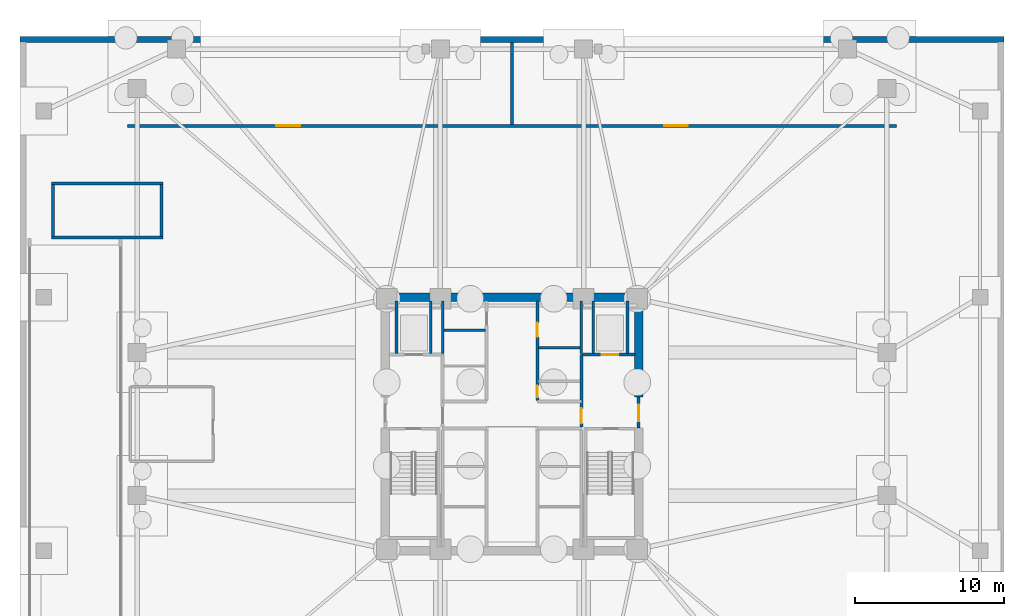
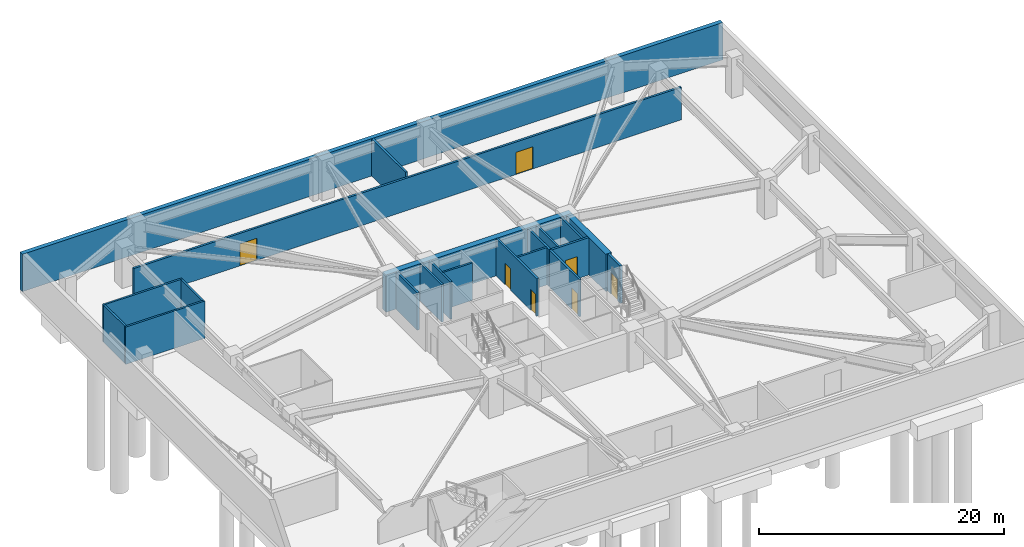
# One storey, part 5 of 10: 21 walls, 7 doors, 7 openings.
"""IFC4 building model written with IfcOpenShell, lengths in metres."""

from ifc_helpers import new_model, si_unit, direction, frame, frame_2d, origin, place, context, subcontext, project, spatial, rectangle, extrude, material, layer, layer_set, type_object, element, fill, save


model = new_model("IFC4")

# Units and contexts
model_context = context("Model", 3, precision=1e-05, world=origin(), true_north=direction((0.0, 1.0)))
body_context = subcontext(model_context, "Body", "Model", "MODEL_VIEW")
ifc_project = project(units=[si_unit("LENGTHUNIT", "METRE"), si_unit("AREAUNIT", "SQUARE_METRE"), si_unit("VOLUMEUNIT", "CUBIC_METRE"), si_unit("PLANEANGLEUNIT", "RADIAN"), si_unit("MASSUNIT", "GRAM", prefix="KILO")], contexts=[model_context])

# Site, building, storey
site_placement = place(None, origin())
site = spatial("IfcSite", under=ifc_project, at=site_placement, CompositionType="ELEMENT")
building_placement = place(site_placement, origin())
building = spatial("IfcBuilding", under=site, at=building_placement, Name="Cairnveth Concourse Tower", CompositionType="ELEMENT")
storey_placement = place(building_placement, frame((0.0, 0.0, -8.0)))
storey = spatial("IfcBuildingStorey", under=building, at=storey_placement, Name="B02", CompositionType="ELEMENT", Elevation=-8.0)

# Walls
ifc_material_1 = material(Name="Concrete N50 (50 MPa)", Category="concrete")
ifc_layer_1 = layer(ifc_material_1, 0.39990234375)
ifc_layer_set_1 = layer_set([ifc_layer_1], Name="Concrete N50 (50 MPa)")
wall_type_1 = type_object("IfcWallType", Name="BASEMENT RETAINING WALL 400", PredefinedType="USERDEFINED", material=ifc_layer_set_1)
wall_1_placement = place(storey_placement, frame((19.0, 64.800048828125, 0.0), z_axis=(0.0, 0.0, 1.0), x_axis=(1.0, 0.0, 0.0)))
element("IfcWall", 1, at=wall_1_placement, inside=storey, type_object=wall_type_1, Name="Exterior Wall EW-B02-N", ObjectType="RETAINING WALL", PredefinedType="USERDEFINED", context=body_context, shape_type="SweptSolid", body=[
    extrude(rectangle(XDim=66.0, YDim=0.39990234375, at=frame_2d((33.0, 0.0))), origin(), (0.0, 0.0, 1.0), 3.719970703125),
])
ifc_material_2 = material(Name="Concrete N80 (80 MPa)", Category="concrete")
ifc_layer_2 = layer(ifc_material_2, 0.550048828125)
ifc_layer_set_2 = layer_set([ifc_layer_2], Name="Concrete N80 (80 MPa)")
wall_type_2 = type_object("IfcWallType", Name="CORE SHEAR WALL 550", PredefinedType="SHEAR", material=ifc_layer_set_2)
wall_2_placement = place(storey_placement, frame((43.22509765625, 47.5, 0.0), z_axis=(0.0, 0.0, 1.0), x_axis=(1.0, 0.0, 0.0)))
element("IfcWall", 2, at=wall_2_placement, inside=storey, type_object=wall_type_2, Name="Core North Shear Wall B02", PredefinedType="SHEAR", context=body_context, shape_type="SweptSolid", body=[
    extrude(rectangle(XDim=17.5498046875, YDim=0.550048828125, at=frame_2d((8.77490234375, 0.0))), origin(), (0.0, 0.0, 1.0), 3.719970703125),
])
wall_3_placement = place(storey_placement, frame((60.5, 40.800048828125, 0.0), z_axis=(0.0, 0.0, 1.0), x_axis=(0.0, 1.0, 0.0)))
element("IfcWall", 3, at=wall_3_placement, inside=storey, type_object=wall_type_2, Name="Core East Shear Wall N B02", PredefinedType="SHEAR", context=body_context, shape_type="SweptSolid", body=[
    extrude(rectangle(XDim=6.43505859375, YDim=0.550048828125, at=frame_2d((3.217529296875, 0.0))), origin(), (0.0, 0.0, 1.0), 3.719970703125),
])
ifc_layer_3 = layer(ifc_material_1, 0.179931640625)
ifc_layer_set_3 = layer_set([ifc_layer_3], Name="Concrete N50 (50 MPa)")
wall_type_3 = type_object("IfcWallType", Name="FIRE SHAFT WALL 180", PredefinedType="SOLIDWALL", material=ifc_layer_set_3)
wall_4_placement = place(storey_placement, frame((47.35009765625, 43.735107421875, 0.0), z_axis=(0.0, 0.0, 1.0), x_axis=(0.0, 1.0, 0.0)))
element("IfcWall", 4, at=wall_4_placement, inside=storey, type_object=wall_type_3, Name="Interior Wall IW-B02-031", PredefinedType="SOLIDWALL", context=body_context, shape_type="SweptSolid", body=[
    extrude(rectangle(XDim=3.5048828125, YDim=0.179931640625, at=frame_2d((1.75244140625, 0.0))), origin(), (0.0, 0.0, 1.0), 3.719970703125),
])
wall_5_placement = place(storey_placement, frame((47.425048828125, 45.280029296875, 0.0), z_axis=(0.0, 0.0, 1.0), x_axis=(1.0, 0.0, 0.0)))
element("IfcWall", 5, at=wall_5_placement, inside=storey, type_object=wall_type_3, Name="Interior Wall IW-B02-033", PredefinedType="SOLIDWALL", context=body_context, shape_type="SweptSolid", body=[
    extrude(rectangle(XDim=2.7900390625, YDim=0.179931640625, at=frame_2d((1.39501953125, 0.0))), origin(), (0.0, 0.0, 1.0), 3.719970703125),
])
wall_6_placement = place(storey_placement, frame((56.64990234375, 43.735107421875, 0.0), z_axis=(0.0, 0.0, 1.0), x_axis=(0.0, 1.0, 0.0)))
element("IfcWall", 6, at=wall_6_placement, inside=storey, type_object=wall_type_3, Name="Interior Wall IW-B02-034", PredefinedType="SOLIDWALL", context=body_context, shape_type="SweptSolid", body=[
    extrude(rectangle(XDim=3.5048828125, YDim=0.179931640625, at=frame_2d((1.75244140625, 0.0))), origin(), (0.0, 0.0, 1.0), 3.719970703125),
])
wall_7_placement = place(storey_placement, frame((53.784912109375, 44.1201171875, 0.0), z_axis=(0.0, 0.0, 1.0), x_axis=(1.0, 0.0, 0.0)))
element("IfcWall", 7, at=wall_7_placement, inside=storey, type_object=wall_type_3, Name="Interior Wall IW-B02-036", PredefinedType="SOLIDWALL", context=body_context, shape_type="SweptSolid", body=[
    extrude(rectangle(XDim=2.7900390625, YDim=0.179931640625, at=frame_2d((1.39501953125, 0.0))), origin(), (0.0, 0.0, 1.0), 3.719970703125),
])
for number, where, z_axis, x_axis, name in (
    (8, (21.2099609375, 51.5849609375, 0.0), (0.0, 0.0, 1.0), (0.0, 1.0, 0.0), "Podium Stair ST-P1 Substructure Support Wall NEAR B02"),
    (9, (28.489990234375, 51.5849609375, 0.0), (0.0, 0.0, 1.0), (0.0, 1.0, 0.0), "Podium Stair ST-P1 Substructure Support Wall FAR B02"),
):
    element("IfcWall", number, at=place(storey_placement, frame(where, z_axis=z_axis, x_axis=x_axis)), inside=storey, type_object=wall_type_3, Name=name, PredefinedType="SOLIDWALL", context=body_context, shape_type="SweptSolid", body=[
        extrude(rectangle(XDim=3.469970703125, YDim=0.179931640625, at=frame_2d((1.73486328125, 0.0))), origin(), (0.0, 0.0, 1.0), 3.719970703125),
    ])
for number, where, z_axis, x_axis, name in (
    (10, (21.1201171875, 51.510009765625, 0.0), (0.0, 0.0, 1.0), (1.0, 0.0, 0.0), "Podium Stair ST-P1 Substructure Support Wall LEFT B02"),
    (11, (21.1201171875, 55.1298828125, 0.0), (0.0, 0.0, 1.0), (1.0, 0.0, 0.0), "Podium Stair ST-P1 Substructure Support Wall RGHT B02"),
):
    element("IfcWall", number, at=place(storey_placement, frame(where, z_axis=z_axis, x_axis=x_axis)), inside=storey, type_object=wall_type_3, Name=name, PredefinedType="SOLIDWALL", context=body_context, shape_type="SweptSolid", body=[
        extrude(rectangle(XDim=7.4599609375, YDim=0.179931640625, at=frame_2d((3.72998046875, 0.0))), origin(), (0.0, 0.0, 1.0), 3.719970703125),
    ])

# Wall, openings, doors
ifc_layer_4 = layer(ifc_material_1, 0.199951171875)
ifc_layer_set_4 = layer_set([ifc_layer_4], Name="Concrete N50 (50 MPa)")
wall_type_4 = type_object("IfcWallType", Name="FIRE SHAFT WALL 200", PredefinedType="SOLIDWALL", material=ifc_layer_set_4)
wall_8_placement = place(storey_placement, frame((53.699951171875, 40.5849609375, 0.0), z_axis=(0.0, 0.0, 1.0), x_axis=(0.0, 1.0, 0.0)))
wall_8 = element("IfcWall", 12, at=wall_8_placement, inside=storey, type_object=wall_type_4, Name="Interior Wall IW-B02-014", PredefinedType="SOLIDWALL", context=body_context, shape_type="SweptSolid", body=[
    extrude(rectangle(XDim=6.655029296875, YDim=0.199951171875, at=frame_2d((3.32763671875, 0.0))), origin(), (0.0, 0.0, 1.0), 3.719970703125),
])
opening_1_placement = place(wall_8_placement, frame((0.195068359375, 0.0, 0.0)))
opening_1 = element("IfcOpeningElement", 13, at=opening_1_placement, cuts=wall_8, Name="Opening ID24", PredefinedType="OPENING", context=body_context, shape_type="SweptSolid", body=[
    extrude(rectangle(XDim=0.800048828125, YDim=2.080078125, at=frame_2d((0.39990234375, 1.0400390625))), frame((0.0, 0.10986328125, 0.0), z_axis=(0.0, -1.0, 0.0), x_axis=(1.0, 0.0, 0.0)), (0.0, 0.0, 1.0), 0.219970703125),
])
opening_2_placement = place(wall_8_placement, frame((4.264892578125, 0.0, 0.0)))
opening_2 = element("IfcOpeningElement", 14, at=opening_2_placement, cuts=wall_8, Name="Opening ID25", PredefinedType="OPENING", context=body_context, shape_type="SweptSolid", body=[
    extrude(rectangle(XDim=0.949951171875, YDim=2.1201171875, at=frame_2d((0.47509765625, 1.06005859375))), frame((0.0, 0.10986328125, 0.0), z_axis=(0.0, -1.0, 0.0), x_axis=(1.0, 0.0, 0.0)), (0.0, 0.0, 1.0), 0.219970703125),
])
ifc_material_3 = material(Name="Steel Grade 350", Category="steel")
door_type_1 = type_object("IfcDoorType", Name="CORE ACCESSIBLE FIRE DOOR 950X2120", OperationType="NOTDEFINED", PredefinedType="DOOR", material=ifc_material_3)
door_1_placement = place(opening_2_placement, origin())
door_1 = element("IfcDoor", 15, at=door_1_placement, inside=storey, type_object=door_type_1, Name="Core NE Accessible WC Door B02", OperationType="SINGLE_SWING_LEFT", OverallHeight=2.1201171875, OverallWidth=0.949951171875, PredefinedType="DOOR", context=body_context, shape_type="SweptSolid", body=[
    extrude(rectangle(XDim=0.949951171875, YDim=2.1201171875, at=frame_2d((0.47509765625, 1.06005859375))), frame((0.0, 0.02490234375, 0.0), z_axis=(0.0, -1.0, 0.0), x_axis=(1.0, 0.0, 0.0)), (0.0, 0.0, 1.0), 0.050048828125),
])
fill(opening_2, door_1)
door_type_2 = type_object("IfcDoorType", Name="RISER ACCESS DOOR 800X2100", OperationType="NOTDEFINED", PredefinedType="DOOR", material=ifc_material_3)
door_2_placement = place(opening_1_placement, origin())
door_2 = element("IfcDoor", 16, at=door_2_placement, inside=storey, type_object=door_type_2, Name="Hydraulic Riser Door B02", OperationType="SINGLE_SWING_RIGHT", OverallHeight=2.080078125, OverallWidth=0.800048828125, PredefinedType="DOOR", context=body_context, shape_type="SweptSolid", body=[
    extrude(rectangle(XDim=0.800048828125, YDim=2.080078125, at=frame_2d((0.39990234375, 1.0400390625))), frame((0.0, 0.02490234375, 0.0), z_axis=(0.0, -1.0, 0.0), x_axis=(1.0, 0.0, 0.0)), (0.0, 0.0, 1.0), 0.050048828125),
])
fill(opening_1, door_2)

# Walls
for number, where, z_axis, x_axis, name in (
    (17, (46.550048828125, 43.735107421875, 0.0), (0.0, 0.0, 1.0), (0.0, 1.0, 0.0), "Interior Wall IW-B02-018"),
    (18, (44.25, 43.735107421875, 0.0), (0.0, 0.0, 1.0), (0.0, 1.0, 0.0), "Interior Wall IW-B02-019"),
):
    element("IfcWall", number, at=place(storey_placement, frame(where, z_axis=z_axis, x_axis=x_axis)), inside=storey, type_object=wall_type_4, Name=name, PredefinedType="SOLIDWALL", context=body_context, shape_type="SweptSolid", body=[
        extrude(rectangle(XDim=3.5048828125, YDim=0.199951171875, at=frame_2d((1.75244140625, 0.0))), origin(), (0.0, 0.0, 1.0), 3.719970703125),
    ])

# Wall, opening, door
wall_9_placement = place(storey_placement, frame((60.5, 38.75, 0.0), z_axis=(0.0, 0.0, 1.0), x_axis=(0.0, 1.0, 0.0)))
wall_9 = element("IfcWall", 19, at=wall_9_placement, inside=storey, type_object=wall_type_4, Name="Interior Wall IW-B02-020", PredefinedType="SOLIDWALL", context=body_context, shape_type="SweptSolid", body=[
    extrude(rectangle(XDim=2.050048828125, YDim=0.199951171875, at=frame_2d((1.02490234375, 0.0))), origin(), (0.0, 0.0, 1.0), 3.719970703125),
])
opening_3_placement = place(wall_9_placement, frame((0.449951171875, 0.0, 0.0)))
opening_3 = element("IfcOpeningElement", 20, at=opening_3_placement, cuts=wall_9, Name="Opening ID06", PredefinedType="OPENING", context=body_context, shape_type="SweptSolid", body=[
    extrude(rectangle(XDim=1.10009765625, YDim=2.14990234375, at=frame_2d((0.550048828125, 1.074951171875))), frame((0.0, 0.10986328125, 0.0), z_axis=(0.0, -1.0, 0.0), x_axis=(1.0, 0.0, 0.0)), (0.0, 0.0, 1.0), 0.219970703125),
])
door_type_3 = type_object("IfcDoorType", Name="FIRE CORRIDOR DOOR 1100X2150", OperationType="NOTDEFINED", PredefinedType="DOOR", material=ifc_material_3)
door_3_placement = place(opening_3_placement, origin())
door_3 = element("IfcDoor", 21, at=door_3_placement, inside=storey, type_object=door_type_3, Name="East Wing to FF Lobby Door B02", OperationType="SINGLE_SWING_RIGHT", OverallHeight=2.14990234375, OverallWidth=1.10009765625, PredefinedType="DOOR", context=body_context, shape_type="SweptSolid", body=[
    extrude(rectangle(XDim=1.10009765625, YDim=2.14990234375, at=frame_2d((0.550048828125, 1.074951171875))), frame((0.0, 0.02490234375, 0.0), z_axis=(0.0, -1.0, 0.0), x_axis=(1.0, 0.0, 0.0)), (0.0, 0.0, 1.0), 0.050048828125),
])
fill(opening_3, door_3)

wall_10_placement = place(storey_placement, frame((56.64990234375, 38.784912109375, 0.0), z_axis=(0.0, 0.0, 1.0), x_axis=(0.0, 1.0, 0.0)))
wall_10 = element("IfcWall", 22, at=wall_10_placement, inside=storey, type_object=wall_type_4, Name="Interior Wall IW-B02-021", PredefinedType="SOLIDWALL", context=body_context, shape_type="SweptSolid", body=[
    extrude(rectangle(XDim=4.864990234375, YDim=0.199951171875, at=frame_2d((2.4326171875, 0.0))), origin(), (0.0, 0.0, 1.0), 3.719970703125),
])
opening_4_placement = place(wall_10_placement, frame((0.264892578125, 0.0, 0.0)))
opening_4 = element("IfcOpeningElement", 23, at=opening_4_placement, cuts=wall_10, Name="Opening ID07", PredefinedType="OPENING", context=body_context, shape_type="SweptSolid", body=[
    extrude(rectangle(XDim=1.0, YDim=2.14990234375, at=frame_2d((0.5, 1.074951171875))), frame((0.0, 0.10986328125, 0.0), z_axis=(0.0, -1.0, 0.0), x_axis=(1.0, 0.0, 0.0)), (0.0, 0.0, 1.0), 0.219970703125),
])
door_type_4 = type_object("IfcDoorType", Name="FIRE CORRIDOR DOOR 1000X2150", OperationType="NOTDEFINED", PredefinedType="DOOR", material=ifc_material_3)
door_4_placement = place(opening_4_placement, origin())
door_4 = element("IfcDoor", 24, at=door_4_placement, inside=storey, type_object=door_type_4, Name="FF Lobby East to Lift Lobby Door B02", OperationType="SINGLE_SWING_LEFT", OverallHeight=2.14990234375, OverallWidth=1.0, PredefinedType="DOOR", context=body_context, shape_type="SweptSolid", body=[
    extrude(rectangle(XDim=1.0, YDim=2.14990234375, at=frame_2d((0.5, 1.074951171875))), frame((0.0, 0.02490234375, 0.0), z_axis=(0.0, -1.0, 0.0), x_axis=(1.0, 0.0, 0.0)), (0.0, 0.0, 1.0), 0.050048828125),
])
fill(opening_4, door_4)

wall_11_placement = place(storey_placement, frame((56.735107421875, 43.64990234375, 0.0), z_axis=(0.0, 0.0, 1.0), x_axis=(1.0, 0.0, 0.0)))
wall_11 = element("IfcWall", 25, at=wall_11_placement, inside=storey, type_object=wall_type_4, Name="Interior Wall IW-B02-022", PredefinedType="SOLIDWALL", context=body_context, shape_type="SweptSolid", body=[
    extrude(rectangle(XDim=3.5048828125, YDim=0.199951171875, at=frame_2d((1.75244140625, 0.0))), origin(), (0.0, 0.0, 1.0), 3.719970703125),
])
opening_5_placement = place(wall_11_placement, frame((1.294921875, 0.0, 0.0)))
opening_5 = element("IfcOpeningElement", 26, at=opening_5_placement, cuts=wall_11, Name="Opening LD-1", PredefinedType="OPENING", context=body_context, shape_type="SweptSolid", body=[
    extrude(rectangle(XDim=1.10009765625, YDim=2.199951171875, at=frame_2d((0.550048828125, 1.10009765625))), frame((0.0, 0.10986328125, 0.0), z_axis=(0.0, -1.0, 0.0), x_axis=(1.0, 0.0, 0.0)), (0.0, 0.0, 1.0), 0.219970703125),
])
ifc_material_4 = material(Name="Architectural Bronze Anodised Aluminium 6063-T6", Category="aluminium")
door_type_5 = type_object("IfcDoorType", Name="LIFT LANDING DOOR 1100X2200", OperationType="SLIDING_TO_LEFT", PredefinedType="DOOR", material=ifc_material_4)
door_5_placement = place(opening_5_placement, origin())
door_5 = element("IfcDoor", 27, at=door_5_placement, inside=storey, type_object=door_type_5, Name="Lift FFL2 Landing Door B02", OperationType="SLIDING_TO_LEFT", OverallHeight=2.199951171875, OverallWidth=1.10009765625, PredefinedType="DOOR", context=body_context, shape_type="SweptSolid", body=[
    extrude(rectangle(XDim=1.10009765625, YDim=2.199951171875, at=frame_2d((0.550048828125, 1.10009765625))), frame((0.0, 0.02490234375, 0.0), z_axis=(0.0, -1.0, 0.0), x_axis=(1.0, 0.0, 0.0)), (0.0, 0.0, 1.0), 0.050048828125),
])
fill(opening_5, door_5)

# Walls
for number, where, z_axis, x_axis, name in (
    (28, (57.449951171875, 43.735107421875, 0.0), (0.0, 0.0, 1.0), (0.0, 1.0, 0.0), "Interior Wall IW-B02-023"),
    (29, (59.75, 43.735107421875, 0.0), (0.0, 0.0, 1.0), (0.0, 1.0, 0.0), "Interior Wall IW-B02-024"),
):
    element("IfcWall", number, at=place(storey_placement, frame(where, z_axis=z_axis, x_axis=x_axis)), inside=storey, type_object=wall_type_4, Name=name, PredefinedType="SOLIDWALL", context=body_context, shape_type="SweptSolid", body=[
        extrude(rectangle(XDim=3.5048828125, YDim=0.199951171875, at=frame_2d((1.75244140625, 0.0))), origin(), (0.0, 0.0, 1.0), 3.719970703125),
    ])

# Wall, openings, doors
wall_12_placement = place(storey_placement, frame((26.199951171875, 59.0, 0.0), z_axis=(0.0, 0.0, 1.0), x_axis=(1.0, 0.0, 0.0)))
wall_12 = element("IfcWall", 30, at=wall_12_placement, inside=storey, type_object=wall_type_4, Name="Interior Wall IW-B02-038", PredefinedType="SOLIDWALL", context=body_context, shape_type="SweptSolid", body=[
    extrude(rectangle(XDim=51.60009765625, YDim=0.199951171875, at=frame_2d((25.800048828125, 0.0))), origin(), (0.0, 0.0, 1.0), 3.238037109375),
])
opening_6_placement = place(wall_12_placement, frame((10.0, 0.0, 0.0)))
opening_6 = element("IfcOpeningElement", 31, at=opening_6_placement, cuts=wall_12, Name="Opening ID02", PredefinedType="OPENING", context=body_context, shape_type="SweptSolid", body=[
    extrude(rectangle(XDim=1.60009765625, YDim=2.199951171875, at=frame_2d((0.800048828125, 1.10009765625))), frame((0.0, 0.10986328125, 0.0), z_axis=(0.0, -1.0, 0.0), x_axis=(1.0, 0.0, 0.0)), (0.0, 0.0, 1.0), 0.219970703125),
])
opening_7_placement = place(wall_12_placement, frame((36.0, 0.0, 0.0)))
opening_7 = element("IfcOpeningElement", 32, at=opening_7_placement, cuts=wall_12, Name="Opening ID02", PredefinedType="OPENING", context=body_context, shape_type="SweptSolid", body=[
    extrude(rectangle(XDim=1.60009765625, YDim=2.199951171875, at=frame_2d((0.800048828125, 1.10009765625))), frame((0.0, 0.10986328125, 0.0), z_axis=(0.0, -1.0, 0.0), x_axis=(1.0, 0.0, 0.0)), (0.0, 0.0, 1.0), 0.219970703125),
])
door_type_6 = type_object("IfcDoorType", Name="PLANT DOUBLE DOOR 1600X2200", OperationType="DOUBLE_DOOR_SINGLE_SWING", PredefinedType="DOOR", material=ifc_material_3)
door_6_placement = place(opening_6_placement, origin())
door_6 = element("IfcDoor", 33, at=door_6_placement, inside=storey, type_object=door_type_6, Name="Interior Door DR-B02-013", OperationType="DOUBLE_DOOR_SINGLE_SWING", OverallHeight=2.199951171875, OverallWidth=1.60009765625, PredefinedType="DOOR", context=body_context, shape_type="SweptSolid", body=[
    extrude(rectangle(XDim=1.60009765625, YDim=2.199951171875, at=frame_2d((0.800048828125, 1.10009765625))), frame((0.0, 0.02490234375, 0.0), z_axis=(0.0, -1.0, 0.0), x_axis=(1.0, 0.0, 0.0)), (0.0, 0.0, 1.0), 0.050048828125),
])
fill(opening_6, door_6)
door_7_placement = place(opening_7_placement, origin())
door_7 = element("IfcDoor", 34, at=door_7_placement, inside=storey, type_object=door_type_6, Name="Interior Door DR-B02-014", OperationType="DOUBLE_DOOR_SINGLE_SWING", OverallHeight=2.199951171875, OverallWidth=1.60009765625, PredefinedType="DOOR", context=body_context, shape_type="SweptSolid", body=[
    extrude(rectangle(XDim=1.60009765625, YDim=2.199951171875, at=frame_2d((0.800048828125, 1.10009765625))), frame((0.0, 0.02490234375, 0.0), z_axis=(0.0, -1.0, 0.0), x_axis=(1.0, 0.0, 0.0)), (0.0, 0.0, 1.0), 0.050048828125),
])
fill(opening_7, door_7)

# Wall
wall_13_placement = place(storey_placement, frame((52.0, 59.0849609375, 0.0), z_axis=(0.0, 0.0, 1.0), x_axis=(0.0, 1.0, 0.0)))
element("IfcWall", 35, at=wall_13_placement, inside=storey, type_object=wall_type_4, Name="Interior Wall IW-B02-041", PredefinedType="SOLIDWALL", context=body_context, shape_type="SweptSolid", body=[
    extrude(rectangle(XDim=5.51513671875, YDim=0.199951171875, at=frame_2d((2.757568359375, 0.0))), origin(), (0.0, 0.0, 1.0), 3.719970703125),
])

save(model, "model.ifc")
